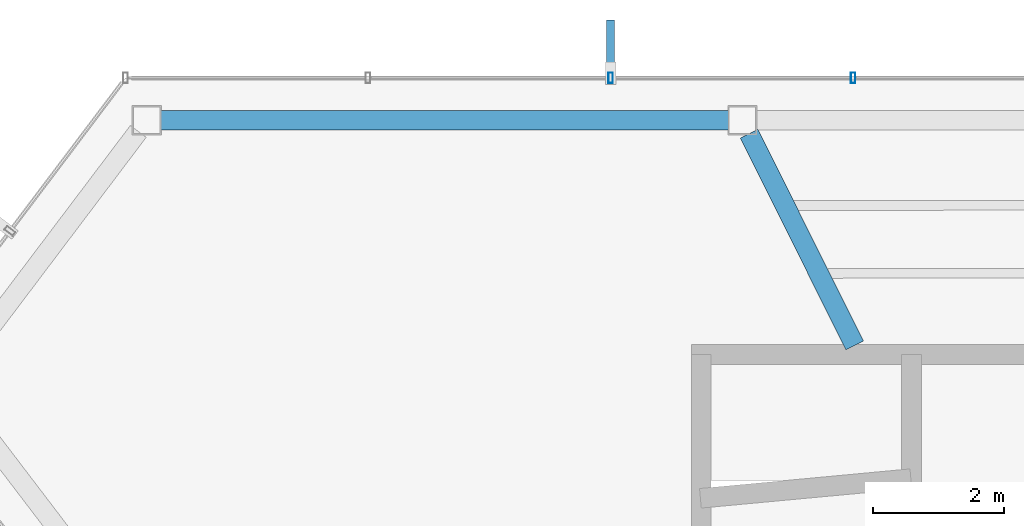
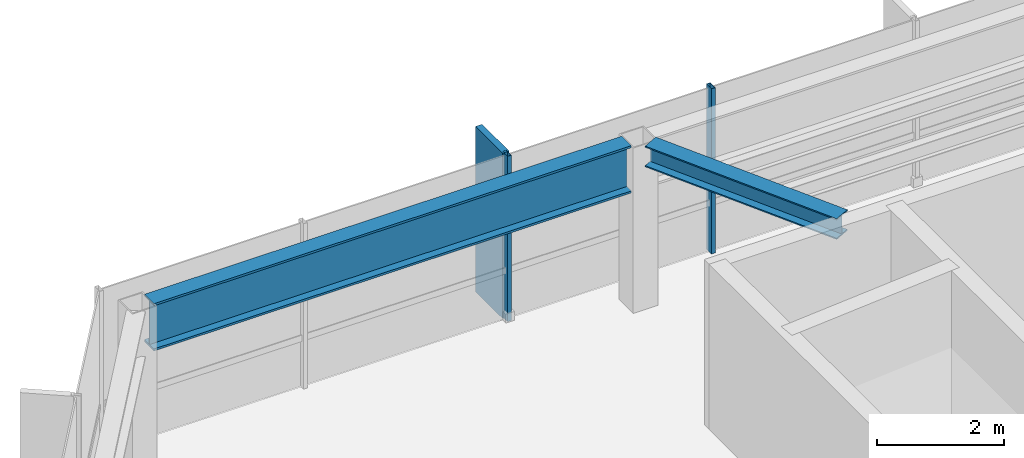
# One storey, part 11 of 23: 3 members, 2 beams, 1 element without a shape of its own.
"""IFC4 building model written with IfcOpenShell, lengths in metres."""

import ifcopenshell
import ifcopenshell.guid

model = None  # the IFC model being written
_history = None  # IfcOwnerHistory: only IFC2X3 demands one
_inside = {}  # id of a spatial element -> (the spatial element, [elements in it])
_under = {}  # id of a project, library or spatial element -> (it, [spatial elements below it])
_declared = {}  # id of a project -> (the project, [libraries it declares])
_typed = {}  # id of a type object -> (the type object, [elements of that type])
_made_of = {}  # id of a material, layer set ... -> (it, [elements and type objects made of it])


def new_model(schema):
    """Start an empty IFC model of exactly this schema.

    Asked for "IFC4X3", IfcOpenShell would pick the latest addendum, in which some entities
    have other attributes; the version numbers below select the first issue.
    IFC2X3 requires an IfcOwnerHistory on every rooted entity: one is made here for all.
    """
    global model, _history
    if schema == "IFC4X3":
        model = ifcopenshell.file(schema_version=(4, 3, 0, 0))
    else:
        model = ifcopenshell.file(schema=schema)
    _inside.clear()
    _under.clear()
    _declared.clear()
    _typed.clear()
    _made_of.clear()
    _history = None
    if model.schema == "IFC2X3":
        org = make("IfcOrganization", Name="unknown")
        user = make(
            "IfcPersonAndOrganization",
            ThePerson=make("IfcPerson", FamilyName="unknown"),
            TheOrganization=org,
        )
        app = make(
            "IfcApplication",
            ApplicationDeveloper=org,
            Version="unknown",
            ApplicationFullName="unknown",
            ApplicationIdentifier="unknown",
        )
        _history = make(
            "IfcOwnerHistory",
            OwningUser=user,
            OwningApplication=app,
            ChangeAction="ADDED",
            CreationDate=0,
        )
    return model


def make(cls, **values):
    """One entity of the class cls with the attributes given. An attribute that is None is left unset."""
    return model.create_entity(
        cls, **{name: value for name, value in values.items() if value is not None}
    )


def rooted(cls, **values):
    """An entity with a GlobalId (a new one), such as an element, a storey or a relation."""
    return make(cls, GlobalId=ifcopenshell.guid.new(), OwnerHistory=_history, **values)


def si_unit(unit_type, name, prefix=None):
    """IfcSIUnit, for example si_unit("LENGTHUNIT", "METRE", prefix="MILLI")."""
    return make("IfcSIUnit", UnitType=unit_type, Prefix=prefix, Name=name)


def assignment(units):
    """IfcUnitAssignment: the units of a project."""
    return None if units is None else make("IfcUnitAssignment", Units=units)


def point(xyz):
    """IfcCartesianPoint."""
    return None if xyz is None else make("IfcCartesianPoint", Coordinates=xyz)


def direction(xyz):
    """IfcDirection."""
    return None if xyz is None else make("IfcDirection", DirectionRatios=xyz)


def frame(location, z_axis=None, x_axis=None):
    """IfcAxis2Placement3D, a coordinate frame: its origin and axes. An axis left out is left unset."""
    return make(
        "IfcAxis2Placement3D",
        Location=point(location),
        Axis=direction(z_axis),
        RefDirection=direction(x_axis),
    )


def frame_2d(location, x_axis=None):
    """IfcAxis2Placement2D, a coordinate frame in the plane: its origin and x axis."""
    return make(
        "IfcAxis2Placement2D", Location=point(location), RefDirection=direction(x_axis)
    )


def origin():
    """The frame at (0, 0, 0) with its axes left unset."""
    return frame((0.0, 0.0, 0.0))


def origin_2d():
    """The frame at (0, 0) in the plane with its x axis left unset."""
    return frame_2d((0.0, 0.0))


def place(relative_to, where):
    """IfcLocalPlacement: puts the frame where relative to a parent placement (None: the world)."""
    return make(
        "IfcLocalPlacement", PlacementRelTo=relative_to, RelativePlacement=where
    )


def context(
    kind, dimensions, precision=None, world=None, true_north=None, identifier=None
):
    """IfcGeometricRepresentationContext, for example the 3D "Model" context."""
    return make(
        "IfcGeometricRepresentationContext",
        ContextIdentifier=identifier,
        ContextType=kind,
        CoordinateSpaceDimension=dimensions,
        Precision=precision,
        WorldCoordinateSystem=world,
        TrueNorth=true_north,
    )


def subcontext(parent, identifier, kind, view, scale=None):
    """IfcGeometricRepresentationSubContext, for example "Body" below "Model"."""
    return make(
        "IfcGeometricRepresentationSubContext",
        ContextIdentifier=identifier,
        ContextType=kind,
        ParentContext=parent,
        TargetScale=scale,
        TargetView=view,
    )


def project(units=None, contexts=None):
    """IfcProject with its units and contexts."""
    return rooted(
        "IfcProject",
        Name="project",
        RepresentationContexts=contexts,
        UnitsInContext=assignment(units),
    )


def spatial(cls, under=None, at=None, **own):
    """A site, building, storey or space (cls), placed at a placement, below another one or the project."""
    s = rooted(cls, ObjectPlacement=at, **own)
    if under is not None:
        _under.setdefault(under.id(), (under, []))[1].append(s)
    return s


def profile(cls, at=None, kind="AREA", **sizes):
    """A parametric profile (cls). Its sizes go by their IFC names, for example OverallWidth=200.0."""
    return make(cls, ProfileType=kind, Position=at, **sizes)


def rectangle(**sizes):
    """IfcRectangleProfileDef."""
    return profile("IfcRectangleProfileDef", **sizes)


def hollow_rectangle(**sizes):
    """IfcRectangleHollowProfileDef."""
    return profile("IfcRectangleHollowProfileDef", **sizes)


def i_section(**sizes):
    """IfcIShapeProfileDef."""
    return profile("IfcIShapeProfileDef", **sizes)


def extrude(swept, where, along, depth):
    """IfcExtrudedAreaSolid: the profile swept, set in the frame where, extruded along a direction by depth."""
    return make(
        "IfcExtrudedAreaSolid",
        SweptArea=swept,
        Position=where,
        ExtrudedDirection=direction(along),
        Depth=depth,
    )


def shape(context_of_items, identifier, shape_type, items):
    """IfcShapeRepresentation: the items that make up one representation, for example the "Body"."""
    return make(
        "IfcShapeRepresentation",
        ContextOfItems=context_of_items,
        RepresentationIdentifier=identifier,
        RepresentationType=shape_type,
        Items=items,
    )


def material(Name=None, Category=None):
    """IfcMaterial."""
    return make("IfcMaterial", Name=Name, Category=Category)


def layer(
    of_material, thickness, ventilated=None, Name=None, Category=None, Priority=None
):
    """IfcMaterialLayer: one layer of a wall or slab, of a material (None: an air gap)."""
    return make(
        "IfcMaterialLayer",
        Material=of_material,
        LayerThickness=thickness,
        IsVentilated=ventilated,
        Name=Name,
        Category=Category,
        Priority=Priority,
    )


def layer_set(layers, Name=None):
    """IfcMaterialLayerSet."""
    return make("IfcMaterialLayerSet", MaterialLayers=layers, LayerSetName=Name)


def material_profile(
    of_material, cross_section, Name=None, Category=None, Priority=None
):
    """IfcMaterialProfile: a cross section and its material."""
    return make(
        "IfcMaterialProfile",
        Name=Name,
        Material=of_material,
        Profile=cross_section,
        Priority=Priority,
        Category=Category,
    )


def profile_set(profiles, Name=None, composite=None):
    """IfcMaterialProfileSet."""
    return make(
        "IfcMaterialProfileSet",
        Name=Name,
        MaterialProfiles=profiles,
        CompositeProfile=composite,
    )


def made_of(thing, what):
    """Note that an element or type object is made of a material, layer set ...; save() writes the relation."""
    if what is not None:
        _made_of.setdefault(what.id(), (what, []))[1].append(thing)
    return thing


def type_object(cls, material=None, **own):
    """A type object (cls), such as IfcWallType, which elements share."""
    return made_of(rooted(cls, **own), material)


def element(
    cls,
    number,
    at=None,
    inside=None,
    cuts=None,
    type_object=None,
    material=None,
    context=None,
    identifier="Body",
    shape_type=None,
    held_by="IfcProductDefinitionShape",
    body=None,
    shapes=None,
    **own,
):
    """One element of the class cls, such as IfcWall. Its Tag is "e" and its number.

    at: its placement. inside: the storey or other place that contains it. cuts: it is an
    opening in that element (IfcRelVoidsElement). A single representation is given by context,
    identifier, shape_type and body (its items); several are given by shapes. held_by: the class
    of the entity that holds the representations. save() writes the other relations.
    """
    e = rooted(cls, Tag="e%d" % number, ObjectPlacement=at, **own)
    if body is not None:
        shapes = [shape(context, identifier, shape_type, body)]
    if shapes is not None:
        e.Representation = make(held_by, Representations=shapes)
    if inside is not None:
        _inside.setdefault(inside.id(), (inside, []))[1].append(e)
    if cuts is not None:
        rooted(
            "IfcRelVoidsElement", RelatingBuildingElement=cuts, RelatedOpeningElement=e
        )
    if type_object is not None:
        _typed.setdefault(type_object.id(), (type_object, []))[1].append(e)
    return made_of(e, material)


def aggregate(whole, parts):
    """IfcRelAggregates: a whole, such as a stair, and the parts it consists of."""
    return rooted("IfcRelAggregates", RelatingObject=whole, RelatedObjects=parts)


def save(model, path):
    """Write the relations noted so far, then the file.

    IfcRelAggregates (storeys below a building ...), IfcRelContainedInSpatialStructure (elements
    in a storey), IfcRelDefinesByType, IfcRelAssociatesMaterial and IfcRelDeclares: one each for
    every whole, place, type object, material and project.
    """
    for whole, parts in _under.values():
        aggregate(whole, parts)
    for where, things in _inside.values():
        rooted(
            "IfcRelContainedInSpatialStructure",
            RelatedElements=things,
            RelatingStructure=where,
        )
    for kind, things in _typed.values():
        rooted("IfcRelDefinesByType", RelatedObjects=things, RelatingType=kind)
    for what, things in _made_of.values():
        rooted("IfcRelAssociatesMaterial", RelatedObjects=things, RelatingMaterial=what)
    for by, libraries in _declared.values():
        rooted("IfcRelDeclares", RelatingContext=by, RelatedDefinitions=libraries)
    model.write(path)


model = new_model("IFC4")

# Units and contexts
model_context = context("Model", 3, precision=1e-05, world=origin(), true_north=direction((0.0, 1.0)))
body_context = subcontext(model_context, "Body", "Model", "MODEL_VIEW")
ifc_project = project(units=[si_unit("LENGTHUNIT", "METRE"), si_unit("AREAUNIT", "SQUARE_METRE"), si_unit("VOLUMEUNIT", "CUBIC_METRE"), si_unit("PLANEANGLEUNIT", "RADIAN"), si_unit("MASSUNIT", "GRAM", prefix="KILO")], contexts=[model_context])

# Site, building, storey
site_placement = place(None, origin())
site = spatial("IfcSite", under=ifc_project, at=site_placement, CompositionType="ELEMENT")
building_placement = place(site_placement, origin())
building = spatial("IfcBuilding", under=site, at=building_placement, Name="Zarrinselat Tower", CompositionType="ELEMENT")
storey_placement = place(building_placement, frame((0.0, 0.0, 278.800048828125)))
storey = spatial("IfcBuildingStorey", under=building, at=storey_placement, Name="L71", CompositionType="ELEMENT", Elevation=278.800048828125)

# Beams
ifc_material_1 = material(Name="Steel S355J2", Category="steel")
ifc_material_profile_1 = material_profile(ifc_material_1, i_section(OverallWidth=0.300048828125, OverallDepth=0.39990234375, WebThickness=0.013427734375, FlangeThickness=0.02392578125, at=origin_2d()), Name="HEB 400")
ifc_profile_set_1 = profile_set([ifc_material_profile_1], Name="Steel S355J2")
beam_type_1 = type_object("IfcBeamType", Name="BM-HEB400", PredefinedType="BEAM", material=ifc_profile_set_1)
beam_1_placement = place(storey_placement, frame((29.384765625, 46.780029296875, 2.97998046875), z_axis=(0.446161273483, -0.894952578657, 0.0), x_axis=(0.894952578657, 0.446161273483, 0.0)))
element("IfcBeam", 1, at=beam_1_placement, inside=storey, type_object=beam_type_1, Name="L71 Radial Primary Girder RG04", PredefinedType="BEAM", context=body_context, shape_type="SweptSolid", body=[
    extrude(i_section(OverallWidth=0.300048828125, OverallDepth=0.39990234375, WebThickness=0.013427734375, FlangeThickness=0.02392578125, at=origin_2d()), origin(), (0.0, 0.0, 1.0), 3.620361328125),
])
ifc_material_2 = material(Name="Steel S460M", Category="steel")
ifc_material_profile_2 = material_profile(ifc_material_2, i_section(OverallWidth=0.302001953125, OverallDepth=0.909912109375, WebThickness=0.02099609375, FlangeThickness=0.0400390625, at=origin_2d()), Name="HEM 900")
ifc_profile_set_2 = profile_set([ifc_material_profile_2], Name="Steel S460M")
beam_type_2 = type_object("IfcBeamType", Name="BM-HEM900", PredefinedType="BEAM", material=ifc_profile_set_2)
beam_2_placement = place(storey_placement, frame((20.3798828125, 46.9833984375, 2.724853515625), z_axis=(1.0, 0.0, 0.0), x_axis=(0.0, 1.0, 0.0)))
element("IfcBeam", 2, at=beam_2_placement, inside=storey, type_object=beam_type_2, Name="L71 Perimeter Spandrel Girder SP04", PredefinedType="BEAM", context=body_context, shape_type="SweptSolid", body=[
    extrude(i_section(OverallWidth=0.302001953125, OverallDepth=0.909912109375, WebThickness=0.02099609375, FlangeThickness=0.0400390625, at=origin_2d()), origin(), (0.0, 0.0, 1.0), 8.6904296875),
])

# Curtain wall, members
ifc_material_3 = material(Name="Extruded Aluminium Alloy EN AW-6063 T6", Category="aluminium")
ifc_layer = layer(ifc_material_3, 0.169921875)
ifc_layer_set = layer_set([ifc_layer], Name="Extruded Aluminium Alloy EN AW-6063 T6")
curtain_wall_type = type_object("IfcCurtainWallType", Name="CWS-RES", PredefinedType="NOTDEFINED", material=ifc_layer_set)
curtain_wall_placement = place(storey_placement, origin())
curtain_wall = element("IfcCurtainWall", 3, at=curtain_wall_placement, inside=storey, type_object=curtain_wall_type, Name="L71 Unitised Curtain Wall CW-L71-E01", PredefinedType="NOTDEFINED")
ifc_material_4 = material(Name="Extruded Aluminium Alloy EN AW-6063 T6", Category="aluminium")
ifc_material_profile_3 = material_profile(ifc_material_4, hollow_rectangle(XDim=0.070068359375, YDim=0.159912109375, WallThickness=0.00390625, at=origin_2d()), Name="RHS 160x70x4")
ifc_profile_set_3 = profile_set([ifc_material_profile_3], Name="Extruded Aluminium Alloy EN AW-6063 T6")
member_type_1 = type_object("IfcMemberType", Name="MEM-CW-MUL2", PredefinedType="MULLION", material=ifc_profile_set_3)
member_1_placement = place(storey_placement, frame((30.976806640625, 47.63330078125, 0.0), z_axis=(0.0, 0.0, 1.0), x_axis=(-1.0, 0.0, 0.0)))
member_1 = element("IfcMember", 4, at=member_1_placement, type_object=member_type_1, Name="CW-L71-E01 Mullion 10", PredefinedType="MULLION", context=body_context, shape_type="SweptSolid", body=[
    extrude(hollow_rectangle(XDim=0.070068359375, YDim=0.159912109375, WallThickness=0.00390625, at=origin_2d()), origin(), (0.0, 0.0, 1.0), 3.179931640625),
])
member_2_placement = place(storey_placement, frame((27.265380859375, 47.63330078125, 0.0), z_axis=(0.0, 0.0, 1.0), x_axis=(-1.0, 0.0, 0.0)))
member_2 = element("IfcMember", 5, at=member_2_placement, type_object=member_type_1, Name="CW-L71-E01 Mullion 11", PredefinedType="MULLION", context=body_context, shape_type="SweptSolid", body=[
    extrude(hollow_rectangle(XDim=0.070068359375, YDim=0.159912109375, WallThickness=0.00390625, at=origin_2d()), origin(), (0.0, 0.0, 1.0), 3.179931640625),
])
ifc_material_5 = material(Name="Honed Cream Travertine Stone", Category="masonry")
ifc_material_profile_4 = material_profile(ifc_material_5, rectangle(XDim=0.1201171875, YDim=0.85009765625, at=origin_2d()), Name="FIN 850x120")
ifc_profile_set_4 = profile_set([ifc_material_profile_4], Name="Honed Cream Travertine Stone")
member_type_2 = type_object("IfcMemberType", Name="MEM-STONE-FIN", PredefinedType="USERDEFINED", material=ifc_profile_set_4)
member_3_placement = place(storey_placement, frame((27.265380859375, 48.09326171875, 0.0), z_axis=(0.0, 0.0, 1.0), x_axis=(1.0, 0.0, 0.0)))
member_3 = element("IfcMember", 6, at=member_3_placement, type_object=member_type_2, Name="L71 Stone Shading Fin CW-L71-E01-11", ObjectType="FIN", PredefinedType="USERDEFINED", context=body_context, shape_type="SweptSolid", body=[
    extrude(rectangle(XDim=0.1201171875, YDim=0.85009765625, at=origin_2d()), origin(), (0.0, 0.0, 1.0), 3.179931640625),
])
aggregate(curtain_wall, [member_1, member_2, member_3])

save(model, "model.ifc")
